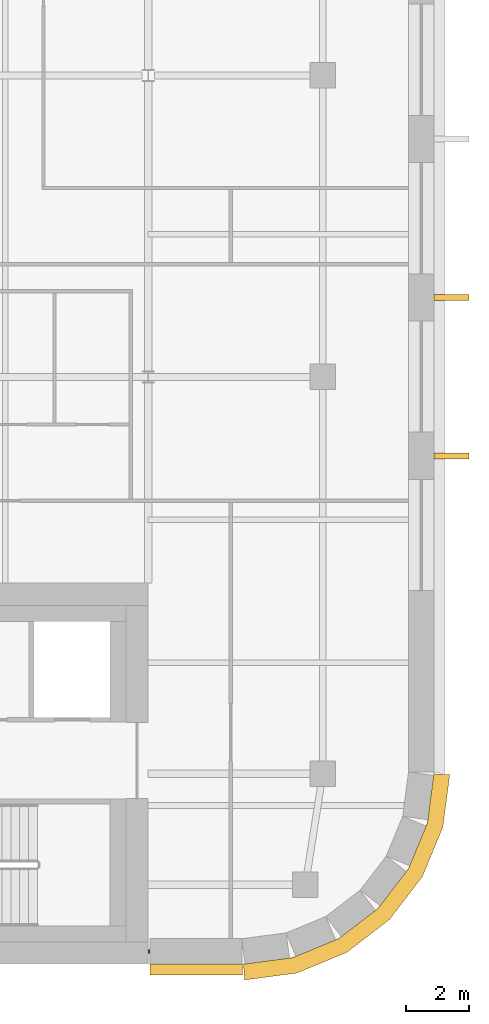
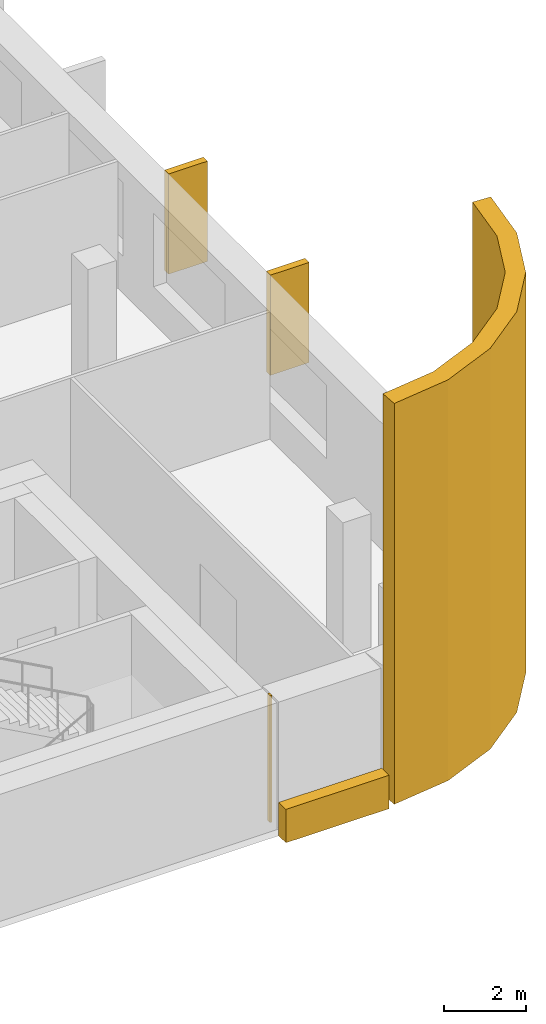
# One storey, part 16 of 17: 5 coverings.
"""IFC4 building model written with IfcOpenShell, lengths in metres."""

from ifc_helpers import new_model, si_unit, direction, frame, origin, origin_2d, place, context, subcontext, project, spatial, polyline, rectangle, outline, extrude, material, layer, layer_set, type_object, element, save


model = new_model("IFC4")

# Units and contexts
model_context = context("Model", 3, precision=1e-05, world=origin(), true_north=direction((0.0, 1.0)))
body_context = subcontext(model_context, "Body", "Model", "MODEL_VIEW")
ifc_project = project(units=[si_unit("LENGTHUNIT", "METRE"), si_unit("AREAUNIT", "SQUARE_METRE"), si_unit("VOLUMEUNIT", "CUBIC_METRE"), si_unit("PLANEANGLEUNIT", "RADIAN"), si_unit("MASSUNIT", "GRAM", prefix="KILO")], contexts=[model_context])

# Site, building, storey
site_placement = place(None, origin())
site = spatial("IfcSite", under=ifc_project, at=site_placement, CompositionType="ELEMENT")
building_placement = place(site_placement, origin())
building = spatial("IfcBuilding", under=site, at=building_placement, Name="Zellij Exchange Tower", CompositionType="ELEMENT")
storey_placement = place(building_placement, frame((0.0, 0.0, 232.5)))
storey = spatial("IfcBuildingStorey", under=building, at=storey_placement, Name="L54", CompositionType="ELEMENT", Elevation=232.5)

# Coverings
ifc_material = material(Name="Limestone cladding", Category="masonry")
ifc_layer_1 = layer(ifc_material, 0.35009765625)
ifc_layer_set_1 = layer_set([ifc_layer_1], Name="Limestone cladding")
covering_type_1 = type_object("IfcCoveringType", Name="ENV-CV10 Stone spandrel band 350", PredefinedType="CLADDING", material=ifc_layer_set_1)
covering_1_placement = place(storey_placement, frame((0.0, 0.0, -0.199951171875)))
element("IfcCovering", 1, at=covering_1_placement, inside=storey, type_object=covering_type_1, Name="Stone spandrel band", PredefinedType="CLADDING", context=body_context, shape_type="SweptSolid", body=[
    extrude(outline(polyline([(27.050048828125, -14.0), (29.973876953125, -14.0), (29.973876953125, -14.35009765625), (27.050048828125, -14.35009765625), (27.050048828125, -14.0)])), origin(), (0.0, 0.0, 1.0), 1.0),
])
ifc_layer_2 = layer(ifc_material, 0.5)
ifc_layer_set_2 = layer_set([ifc_layer_2], Name="Limestone cladding")
covering_type_2 = type_object("IfcCoveringType", Name="ENV-CV12 Stone corner pier 500", PredefinedType="CLADDING", material=ifc_layer_set_2)
covering_2_placement = place(storey_placement, origin())
element("IfcCovering", 2, at=covering_2_placement, inside=storey, type_object=covering_type_2, Name="Stone corner pier", PredefinedType="CLADDING", context=body_context, shape_type="SweptSolid", body=[
    extrude(outline(polyline([(30.0, -14.0), (31.552978515625, -13.795654296875), (33.0, -13.1962890625), (34.24267578125, -12.24267578125), (35.1962890625, -11.0), (35.795654296875, -9.552978515625), (36.0, -8.0), (36.5, -8.03271484375), (36.28271484375, -9.683349609375), (35.6328125, -11.252197265625), (34.59912109375, -12.59912109375), (33.252197265625, -13.6328125), (31.683349609375, -14.28271484375), (30.03271484375, -14.5), (30.0, -14.0)])), origin(), (0.0, 0.0, 1.0), 12.0),
])
ifc_layer_3 = layer(ifc_material, 0.1201171875)
ifc_layer_set_3 = layer_set([ifc_layer_3], Name="Limestone cladding")
covering_type_3 = type_object("IfcCoveringType", Name="ENV-CV18 Glazing closer 120", PredefinedType="CLADDING", material=ifc_layer_set_3)
covering_3_placement = place(storey_placement, frame((27.02490234375, -13.60009765625, 0.0), z_axis=(0.0, 0.0, 1.0), x_axis=(-1.0, 0.0, 0.0)))
element("IfcCovering", 3, at=covering_3_placement, inside=storey, type_object=covering_type_3, Name="Glazing closer", PredefinedType="CLADDING", context=body_context, shape_type="SweptSolid", body=[
    extrude(rectangle(XDim=0.050048828125, YDim=0.1201171875, at=origin_2d()), origin(), (0.0, 0.0, 1.0), 3.800048828125),
])
covering_type_4 = type_object("IfcCoveringType", Name="ENV-CV6 Stone pier 200x1100", PredefinedType="CLADDING", material=ifc_material)
covering_4_placement = place(storey_placement, frame((0.0, 0.0, 0.800048828125)))
element("IfcCovering", 4, at=covering_4_placement, inside=storey, type_object=covering_type_4, Name="Stone pier", PredefinedType="CLADDING", context=body_context, shape_type="SweptSolid", body=[
    extrude(outline(polyline([(36.0, 1.9111328125), (36.0, 2.111083984375), (37.10009765625, 2.111083984375), (37.10009765625, 1.9111328125), (36.0, 1.9111328125)])), origin(), (0.0, 0.0, 1.0), 3.0),
])
covering_5_placement = place(storey_placement, frame((0.0, 0.0, 0.800048828125)))
element("IfcCovering", 5, at=covering_5_placement, inside=storey, type_object=covering_type_4, Name="Stone pier", PredefinedType="CLADDING", context=body_context, shape_type="SweptSolid", body=[
    extrude(outline(polyline([(36.0, 6.90380859375), (36.0, 7.103759765625), (37.10009765625, 7.103759765625), (37.10009765625, 6.90380859375), (36.0, 6.90380859375)])), origin(), (0.0, 0.0, 1.0), 3.0),
])

save(model, "model.ifc")
